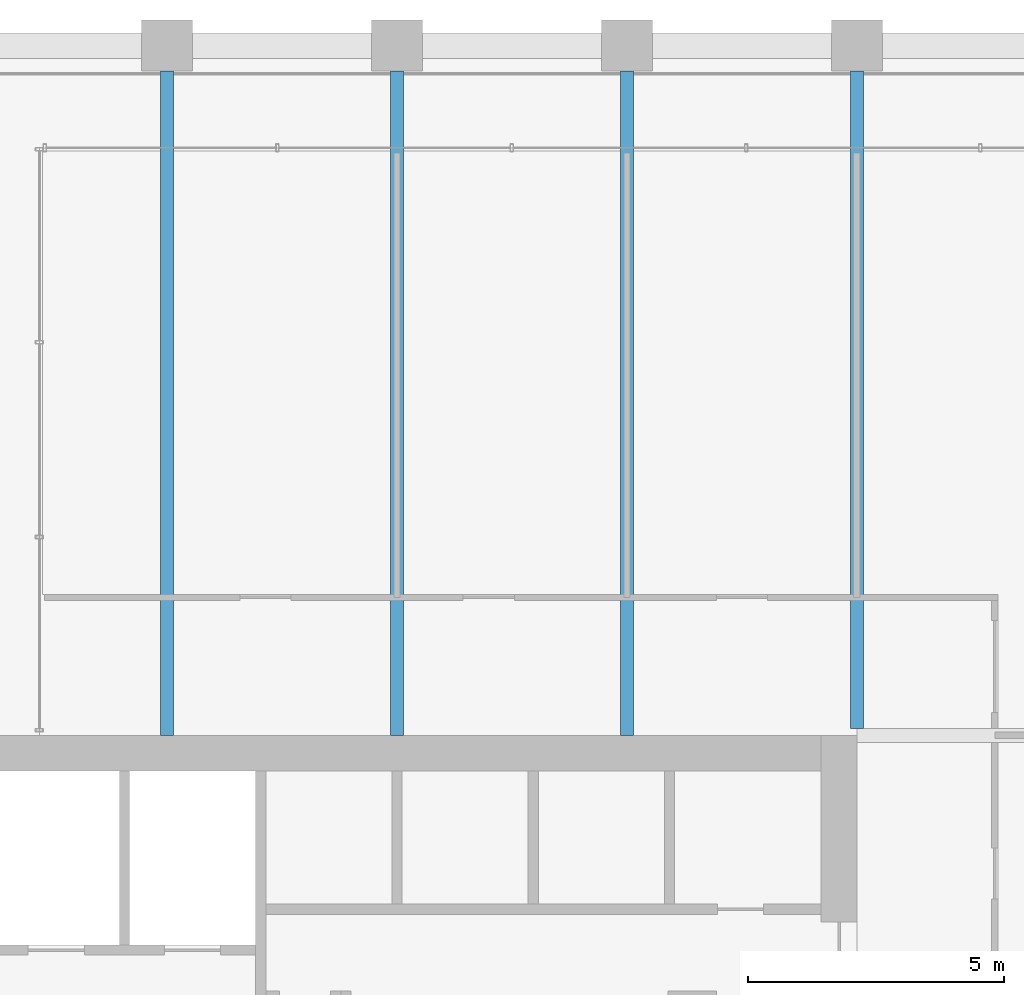
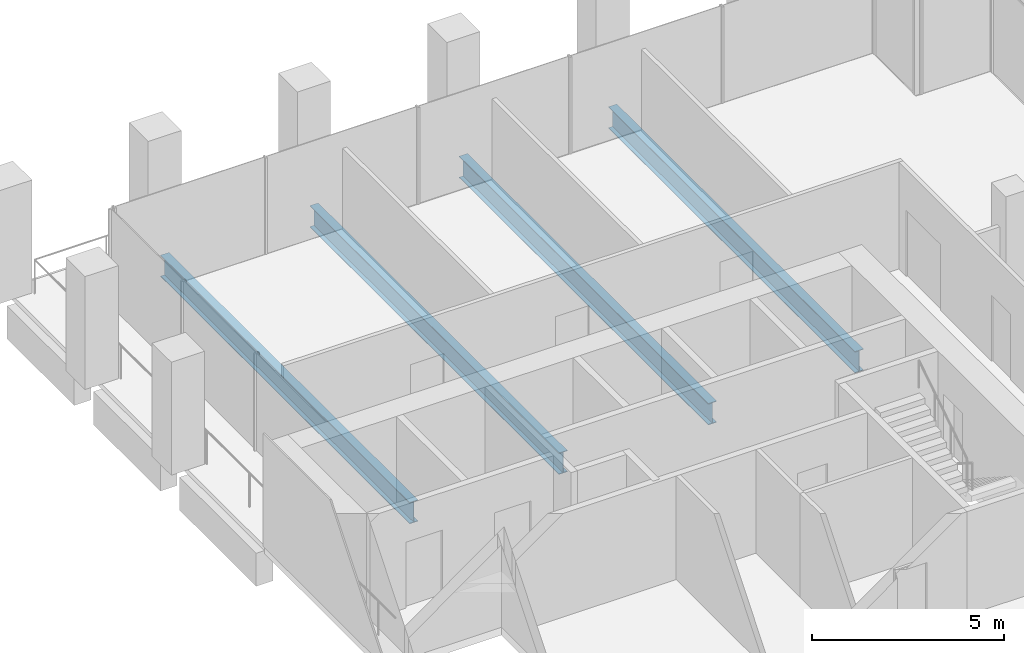
# One storey, part 22 of 46: 4 beams.
"""IFC4 building model written with IfcOpenShell, lengths in metres."""

from ifc_helpers import new_model, si_unit, direction, frame, origin, origin_2d, place, context, subcontext, project, spatial, i_section, extrude, material, material_profile, profile_set, type_object, element, save


model = new_model("IFC4")

# Units and contexts
model_context = context("Model", 3, precision=1e-05, world=origin(), true_north=direction((0.0, 1.0)))
body_context = subcontext(model_context, "Body", "Model", "MODEL_VIEW")
ifc_project = project(units=[si_unit("LENGTHUNIT", "METRE"), si_unit("AREAUNIT", "SQUARE_METRE"), si_unit("VOLUMEUNIT", "CUBIC_METRE"), si_unit("PLANEANGLEUNIT", "RADIAN"), si_unit("MASSUNIT", "GRAM", prefix="KILO")], contexts=[model_context])

# Site, building, storey
site_placement = place(None, origin())
site = spatial("IfcSite", under=ifc_project, at=site_placement, CompositionType="ELEMENT")
building_placement = place(site_placement, origin())
building = spatial("IfcBuilding", under=site, at=building_placement, Name="Altepetl Exchange Towers", CompositionType="ELEMENT")
storey_placement = place(building_placement, frame((0.0, 0.0, 135.199951171875)))
storey = spatial("IfcBuildingStorey", under=building, at=storey_placement, Name="L33", CompositionType="ELEMENT", Elevation=135.199951171875)

# Beams
ifc_material = material(Name="Steel S355", Category="steel")
ifc_material_profile = material_profile(ifc_material, i_section(OverallWidth=0.25390625, OverallDepth=0.68408203125, WebThickness=0.012451171875, FlangeThickness=0.018798828125, at=origin_2d()), Name="W27X94")
ifc_profile_set = profile_set([ifc_material_profile], Name="Steel S355")
beam_type = type_object("IfcBeamType", Name="Floor beam W27X94", PredefinedType="BEAM", material=ifc_profile_set)
for number, where, z_axis, x_axis, name in (
    (1, (45.0, 58.5, -0.491943359375), (0.0, 1.0, 0.0), (-1.0, 0.0, 0.0), "bm:A:L33:000"),
    (2, (49.5, 58.5, -0.491943359375), (0.0, 1.0, 0.0), (-1.0, 0.0, 0.0), "bm:A:L33:001"),
    (3, (54.0, 58.5, -0.491943359375), (0.0, 1.0, 0.0), (-1.0, 0.0, 0.0), "bm:A:L33:002"),
):
    element("IfcBeam", number, at=place(storey_placement, frame(where, z_axis=z_axis, x_axis=x_axis)), inside=storey, type_object=beam_type, Name=name, PredefinedType="BEAM", context=body_context, shape_type="SweptSolid", body=[
        extrude(i_section(OverallWidth=0.25390625, OverallDepth=0.68408203125, WebThickness=0.012451171875, FlangeThickness=0.018798828125, at=origin_2d()), origin(), (0.0, 0.0, 1.0), 13.0),
    ])
beam_placement = place(storey_placement, frame((58.5, 58.634033203125, -0.491943359375), z_axis=(0.0, 1.0, 0.0), x_axis=(-1.0, 0.0, 0.0)))
element("IfcBeam", 4, at=beam_placement, inside=storey, type_object=beam_type, Name="bm:A:L33:003", PredefinedType="BEAM", context=body_context, shape_type="SweptSolid", body=[
    extrude(i_section(OverallWidth=0.25390625, OverallDepth=0.68408203125, WebThickness=0.012451171875, FlangeThickness=0.018798828125, at=origin_2d()), origin(), (0.0, 0.0, 1.0), 12.865966796875),
])

save(model, "model.ifc")
